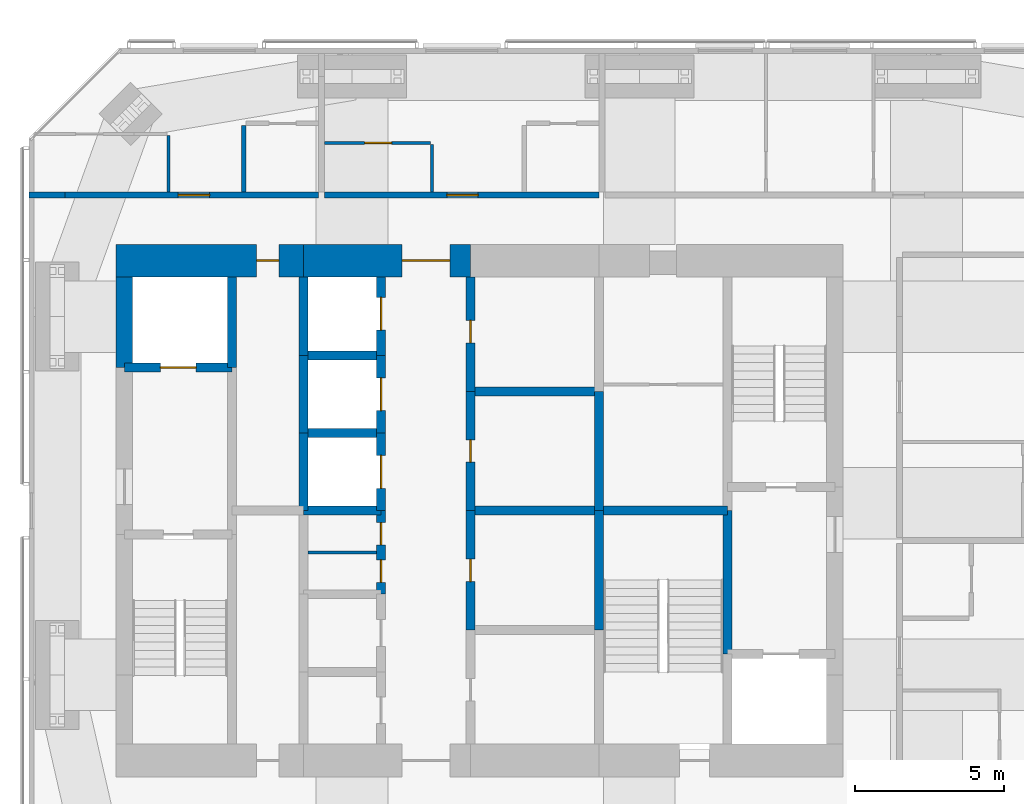
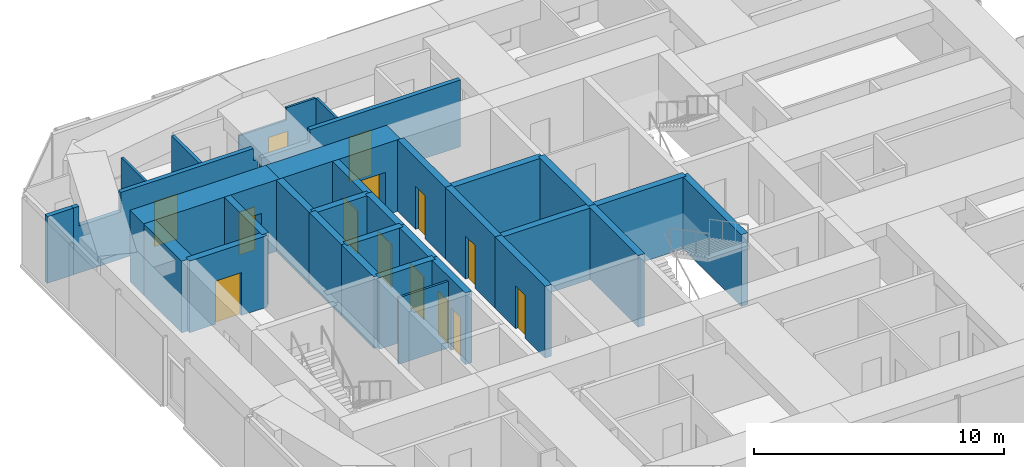
# One storey, part 14 of 18: 32 walls, 14 doors, 14 openings.
"""IFC4 building model written with IfcOpenShell, lengths in metres."""

from ifc_helpers import new_model, si_unit, direction, frame, frame_2d, origin, place, context, subcontext, project, spatial, polyline, rectangle, outline, extrude, material, layer, layer_set, constituent, constituent_set, type_object, element, fill, save


model = new_model("IFC4")

# Units and contexts
model_context = context("Model", 3, precision=1e-05, world=origin(), true_north=direction((0.0, 1.0)))
body_context = subcontext(model_context, "Body", "Model", "MODEL_VIEW")
ifc_project = project(units=[si_unit("LENGTHUNIT", "METRE"), si_unit("AREAUNIT", "SQUARE_METRE"), si_unit("VOLUMEUNIT", "CUBIC_METRE"), si_unit("PLANEANGLEUNIT", "RADIAN"), si_unit("MASSUNIT", "GRAM", prefix="KILO")], contexts=[model_context])

# Site, building, storey
site_placement = place(None, origin())
site = spatial("IfcSite", under=ifc_project, at=site_placement, CompositionType="ELEMENT")
building_placement = place(site_placement, origin())
building = spatial("IfcBuilding", under=site, at=building_placement, Name="Jalousie Tower", CompositionType="ELEMENT")
storey_placement = place(building_placement, frame((0.0, 0.0, 231.949951171875)))
storey = spatial("IfcBuildingStorey", under=building, at=storey_placement, Name="L63", CompositionType="ELEMENT", Elevation=231.949951171875)

# Wall
ifc_material_1 = material(Name="Concrete block ASTM C90", Category="concrete")
ifc_constituent_1 = constituent(ifc_material_1, Name="Body")
ifc_material_2 = material(Name="Render")
ifc_constituent_2 = constituent(ifc_material_2, Name="Finish")
ifc_constituent_set_1 = constituent_set(constituents=[ifc_constituent_1, ifc_constituent_2])
wall_type_1 = type_object("IfcWallType", Name="BATHROOM WALL 150", PredefinedType="PLUMBINGWALL", material=ifc_constituent_set_1)
wall_1_placement = place(storey_placement, frame((24.0, 31.39990234375, 0.0), z_axis=(0.0, 0.0, 1.0), x_axis=(0.0, -1.0, 0.0)))
element("IfcWall", 1, at=wall_1_placement, inside=storey, type_object=wall_type_1, Name="Bathroom Wall 150 L63", PredefinedType="PLUMBINGWALL", context=body_context, shape_type="SweptSolid", body=[
    extrude(rectangle(XDim=2.224853515625, YDim=0.14990234375, at=frame_2d((1.1123046875, 0.0))), origin(), (0.0, 0.0, 1.0), 3.260009765625),
])

# Wall, opening, door
ifc_material_3 = material(Name="Concrete f'c 120 MPa", Category="concrete")
ifc_layer_1 = layer(ifc_material_3, 1.10009765625)
ifc_layer_set_1 = layer_set([ifc_layer_1], Name="Concrete f'c 120 MPa")
wall_type_2 = type_object("IfcWallType", Name="CORE WALL 1100", PredefinedType="SHEAR", material=ifc_layer_set_1)
wall_2_placement = place(storey_placement, frame((31.60009765625, 26.875, 0.0), z_axis=(0.0, 0.0, 1.0), x_axis=(-1.0, 0.0, 0.0)))
wall_2 = element("IfcWall", 2, at=wall_2_placement, inside=storey, type_object=wall_type_2, Name="Core wall NC L63", PredefinedType="SHEAR", context=body_context, shape_type="SweptSolid", body=[
    extrude(rectangle(XDim=5.60009765625, YDim=1.10009765625, at=frame_2d((2.800048828125, 0.0))), origin(), (0.0, 0.0, 1.0), 3.5),
])
opening_1_placement = place(wall_2_placement, frame((0.699951171875, 0.0, 0.0)))
opening_1 = element("IfcOpeningElement", 3, at=opening_1_placement, cuts=wall_2, Name="Opening D15", PredefinedType="OPENING", context=body_context, shape_type="SweptSolid", body=[
    extrude(rectangle(XDim=1.60009765625, YDim=2.10009765625, at=frame_2d((0.800048828125, 1.050048828125))), frame((0.0, 0.56005859375, 0.0), z_axis=(0.0, -1.0, 0.0), x_axis=(1.0, 0.0, 0.0)), (0.0, 0.0, 1.0), 1.1201171875),
])
ifc_material_4 = material(Name="Steel fire door", Category="steel")
door_type_1 = type_object("IfcDoorType", Name="LIFT LOBBY DOOR 1600", OperationType="DOUBLE_DOOR_SINGLE_SWING", PredefinedType="DOOR", material=ifc_material_4)
door_1_placement = place(opening_1_placement, origin())
door_1 = element("IfcDoor", 4, at=door_1_placement, inside=storey, type_object=door_type_1, Name="Lift lobby north door", OperationType="DOUBLE_DOOR_SINGLE_SWING", OverallHeight=2.10009765625, OverallWidth=1.60009765625, PredefinedType="DOOR", context=body_context, shape_type="SweptSolid", body=[
    extrude(rectangle(XDim=1.60009765625, YDim=2.10009765625, at=frame_2d((0.800048828125, 1.050048828125))), frame((0.0, 0.02490234375, 0.0), z_axis=(0.0, -1.0, 0.0), x_axis=(1.0, 0.0, 0.0)), (0.0, 0.0, 1.0), 0.050048828125),
])
fill(opening_1, door_1)

wall_3_placement = place(storey_placement, frame((26.0, 26.875, 0.0), z_axis=(0.0, 0.0, 1.0), x_axis=(-1.0, 0.0, 0.0)))
wall_3 = element("IfcWall", 5, at=wall_3_placement, inside=storey, type_object=wall_type_2, Name="Core wall ND L63", PredefinedType="SHEAR", context=body_context, shape_type="SweptSolid", body=[
    extrude(rectangle(XDim=6.27490234375, YDim=1.10009765625, at=frame_2d((3.137451171875, 0.0))), origin(), (0.0, 0.0, 1.0), 3.5),
])
opening_2_placement = place(wall_3_placement, frame((0.824951171875, 0.0, 0.0)))
opening_2 = element("IfcOpeningElement", 6, at=opening_2_placement, cuts=wall_3, Name="Opening D16", PredefinedType="OPENING", context=body_context, shape_type="SweptSolid", body=[
    extrude(rectangle(XDim=0.75, YDim=2.10009765625, at=frame_2d((0.375, 1.050048828125))), frame((0.0, 0.56005859375, 0.0), z_axis=(0.0, -1.0, 0.0), x_axis=(1.0, 0.0, 0.0)), (0.0, 0.0, 1.0), 1.1201171875),
])
ifc_material_5 = material(Name="Steel fire door", Category="steel")
door_type_2 = type_object("IfcDoorType", Name="RISER DOOR 750", OperationType="SINGLE_SWING_LEFT", PredefinedType="DOOR", material=ifc_material_5)
door_2_placement = place(opening_2_placement, origin())
door_2 = element("IfcDoor", 7, at=door_2_placement, inside=storey, type_object=door_type_2, Name="North riser door", OperationType="SINGLE_SWING_RIGHT", OverallHeight=2.10009765625, OverallWidth=0.75, PredefinedType="DOOR", context=body_context, shape_type="SweptSolid", body=[
    extrude(rectangle(XDim=0.75, YDim=2.10009765625, at=frame_2d((0.375, 1.050048828125))), frame((0.0, 0.02490234375, 0.0), z_axis=(0.0, -1.0, 0.0), x_axis=(1.0, 0.0, 0.0)), (0.0, 0.0, 1.0), 0.050048828125),
])
fill(opening_2, door_2)

# Walls
ifc_material_6 = material(Name="Concrete f'c 120 MPa", Category="concrete")
ifc_layer_2 = layer(ifc_material_6, 0.300048828125)
ifc_layer_set_2 = layer_set([ifc_layer_2], Name="Concrete f'c 120 MPa")
wall_type_3 = type_object("IfcWallType", Name="CORE WALL 300", PredefinedType="SHEAR", material=ifc_layer_set_2)
wall_4_placement = place(storey_placement, frame((23.60009765625, 23.300048828125, 0.0), z_axis=(0.0, 0.0, 1.0), x_axis=(0.0, 1.0, 0.0)))
element("IfcWall", 8, at=wall_4_placement, inside=storey, type_object=wall_type_3, Name="Core wall X23.6C L63", PredefinedType="SHEAR", context=body_context, shape_type="SweptSolid", body=[
    extrude(rectangle(XDim=3.02490234375, YDim=0.300048828125, at=frame_2d((1.512451171875, 0.0))), origin(), (0.0, 0.0, 1.0), 3.5),
])
wall_5_placement = place(storey_placement, frame((26.0, 18.5, 0.0), z_axis=(0.0, 0.0, 1.0), x_axis=(0.0, 1.0, 0.0)))
element("IfcWall", 9, at=wall_5_placement, inside=storey, type_object=wall_type_3, Name="Core wall X26D L63", PredefinedType="SHEAR", context=body_context, shape_type="SweptSolid", body=[
    extrude(rectangle(XDim=2.60009765625, YDim=0.300048828125, at=frame_2d((1.300048828125, 0.0))), origin(), (0.0, 0.0, 1.0), 3.5),
])
wall_6_placement = place(storey_placement, frame((26.0, 21.10009765625, 0.0), z_axis=(0.0, 0.0, 1.0), x_axis=(0.0, 1.0, 0.0)))
element("IfcWall", 10, at=wall_6_placement, inside=storey, type_object=wall_type_3, Name="Core wall X26E L63", PredefinedType="SHEAR", context=body_context, shape_type="SweptSolid", body=[
    extrude(rectangle(XDim=2.599853515625, YDim=0.300048828125, at=frame_2d((1.2998046875, 0.0))), origin(), (0.0, 0.0, 1.0), 3.5),
])
wall_7_placement = place(storey_placement, frame((26.0, 23.699951171875, 0.0), z_axis=(0.0, 0.0, 1.0), x_axis=(0.0, 1.0, 0.0)))
element("IfcWall", 11, at=wall_7_placement, inside=storey, type_object=wall_type_3, Name="Core wall X26F L63", PredefinedType="SHEAR", context=body_context, shape_type="SweptSolid", body=[
    extrude(rectangle(XDim=2.625, YDim=0.300048828125, at=frame_2d((1.3125, 0.0))), origin(), (0.0, 0.0, 1.0), 3.5),
])

# Wall, openings, doors
wall_8_placement = place(storey_placement, frame((28.60009765625, 15.699951171875, 0.0), z_axis=(0.0, 0.0, 1.0), x_axis=(0.0, 1.0, 0.0)))
wall_8 = element("IfcWall", 12, at=wall_8_placement, inside=storey, type_object=wall_type_3, Name="Core wall X28.6C L63", PredefinedType="SHEAR", context=body_context, shape_type="SweptSolid", body=[
    extrude(rectangle(XDim=2.800048828125, YDim=0.300048828125, at=frame_2d((1.39990234375, 0.0))), origin(), (0.0, 0.0, 1.0), 3.5),
])
opening_3_placement = place(wall_8_placement, frame((0.39990234375, 0.0, 0.0)))
opening_3 = element("IfcOpeningElement", 13, at=opening_3_placement, cuts=wall_8, Name="Opening D27", PredefinedType="OPENING", context=body_context, shape_type="SweptSolid", body=[
    extrude(rectangle(XDim=0.75, YDim=2.10009765625, at=frame_2d((0.375, 1.050048828125))), frame((0.0, 0.159912109375, 0.0), z_axis=(0.0, -1.0, 0.0), x_axis=(1.0, 0.0, 0.0)), (0.0, 0.0, 1.0), 0.320068359375),
])
opening_4_placement = place(wall_8_placement, frame((1.64990234375, 0.0, 0.0)))
opening_4 = element("IfcOpeningElement", 14, at=opening_4_placement, cuts=wall_8, Name="Opening D27", PredefinedType="OPENING", context=body_context, shape_type="SweptSolid", body=[
    extrude(rectangle(XDim=0.75, YDim=2.10009765625, at=frame_2d((0.375, 1.050048828125))), frame((0.0, 0.159912109375, 0.0), z_axis=(0.0, -1.0, 0.0), x_axis=(1.0, 0.0, 0.0)), (0.0, 0.0, 1.0), 0.320068359375),
])
ifc_material_7 = material(Name="Steel fire door", Category="steel")
door_type_3 = type_object("IfcDoorType", Name="CORE ROOM DOOR 750", OperationType="SINGLE_SWING_LEFT", PredefinedType="DOOR", material=ifc_material_7)
door_3_placement = place(opening_3_placement, origin())
door_3 = element("IfcDoor", 15, at=door_3_placement, inside=storey, type_object=door_type_3, Name="Staff WC door", OperationType="SINGLE_SWING_RIGHT", OverallHeight=2.10009765625, OverallWidth=0.75, PredefinedType="DOOR", context=body_context, shape_type="SweptSolid", body=[
    extrude(rectangle(XDim=0.75, YDim=2.10009765625, at=frame_2d((0.375, 1.050048828125))), frame((0.0, 0.02490234375, 0.0), z_axis=(0.0, -1.0, 0.0), x_axis=(1.0, 0.0, 0.0)), (0.0, 0.0, 1.0), 0.050048828125),
])
fill(opening_3, door_3)
door_4_placement = place(opening_4_placement, origin())
door_4 = element("IfcDoor", 16, at=door_4_placement, inside=storey, type_object=door_type_3, Name="Cleaner's store door", OperationType="SINGLE_SWING_LEFT", OverallHeight=2.10009765625, OverallWidth=0.75, PredefinedType="DOOR", context=body_context, shape_type="SweptSolid", body=[
    extrude(rectangle(XDim=0.75, YDim=2.10009765625, at=frame_2d((0.375, 1.050048828125))), frame((0.0, 0.02490234375, 0.0), z_axis=(0.0, -1.0, 0.0), x_axis=(1.0, 0.0, 0.0)), (0.0, 0.0, 1.0), 0.050048828125),
])
fill(opening_4, door_4)

# Wall, opening, door
wall_9_placement = place(storey_placement, frame((28.60009765625, 18.5, 0.0), z_axis=(0.0, 0.0, 1.0), x_axis=(0.0, 1.0, 0.0)))
wall_9 = element("IfcWall", 17, at=wall_9_placement, inside=storey, type_object=wall_type_3, Name="Core wall X28.6D L63", PredefinedType="SHEAR", context=body_context, shape_type="SweptSolid", body=[
    extrude(rectangle(XDim=2.60009765625, YDim=0.300048828125, at=frame_2d((1.300048828125, 0.0))), origin(), (0.0, 0.0, 1.0), 3.5),
])
opening_5_placement = place(wall_9_placement, frame((0.75, 0.0, 0.0)))
opening_5 = element("IfcOpeningElement", 18, at=opening_5_placement, cuts=wall_9, Name="Opening LD1", PredefinedType="OPENING", context=body_context, shape_type="SweptSolid", body=[
    extrude(rectangle(XDim=1.10009765625, YDim=2.10009765625, at=frame_2d((0.550048828125, 1.050048828125))), frame((0.0, 0.159912109375, 0.0), z_axis=(0.0, -1.0, 0.0), x_axis=(1.0, 0.0, 0.0)), (0.0, 0.0, 1.0), 0.320068359375),
])
ifc_material_8 = material(Name="Steel lift landing door", Category="steel")
door_type_4 = type_object("IfcDoorType", Name="LIFT LANDING DOOR 1100", OperationType="SLIDING_TO_LEFT", PredefinedType="DOOR", material=ifc_material_8)
door_5_placement = place(opening_5_placement, origin())
door_5 = element("IfcDoor", 19, at=door_5_placement, inside=storey, type_object=door_type_4, Name="Lift P4 landing door", OperationType="SLIDING_TO_LEFT", OverallHeight=2.10009765625, OverallWidth=1.10009765625, PredefinedType="DOOR", context=body_context, shape_type="SweptSolid", body=[
    extrude(rectangle(XDim=1.10009765625, YDim=2.10009765625, at=frame_2d((0.550048828125, 1.050048828125))), frame((0.0, 0.02490234375, 0.0), z_axis=(0.0, -1.0, 0.0), x_axis=(1.0, 0.0, 0.0)), (0.0, 0.0, 1.0), 0.050048828125),
])
fill(opening_5, door_5)

wall_10_placement = place(storey_placement, frame((28.60009765625, 21.10009765625, 0.0), z_axis=(0.0, 0.0, 1.0), x_axis=(0.0, 1.0, 0.0)))
wall_10 = element("IfcWall", 20, at=wall_10_placement, inside=storey, type_object=wall_type_3, Name="Core wall X28.6E L63", PredefinedType="SHEAR", context=body_context, shape_type="SweptSolid", body=[
    extrude(rectangle(XDim=2.599853515625, YDim=0.300048828125, at=frame_2d((1.2998046875, 0.0))), origin(), (0.0, 0.0, 1.0), 3.5),
])
opening_6_placement = place(wall_10_placement, frame((0.75, 0.0, 0.0)))
opening_6 = element("IfcOpeningElement", 21, at=opening_6_placement, cuts=wall_10, Name="Opening LD1", PredefinedType="OPENING", context=body_context, shape_type="SweptSolid", body=[
    extrude(rectangle(XDim=1.10009765625, YDim=2.10009765625, at=frame_2d((0.550048828125, 1.050048828125))), frame((0.0, 0.159912109375, 0.0), z_axis=(0.0, -1.0, 0.0), x_axis=(1.0, 0.0, 0.0)), (0.0, 0.0, 1.0), 0.320068359375),
])
door_6_placement = place(opening_6_placement, origin())
door_6 = element("IfcDoor", 22, at=door_6_placement, inside=storey, type_object=door_type_4, Name="Lift P5 landing door", OperationType="SLIDING_TO_LEFT", OverallHeight=2.10009765625, OverallWidth=1.10009765625, PredefinedType="DOOR", context=body_context, shape_type="SweptSolid", body=[
    extrude(rectangle(XDim=1.10009765625, YDim=2.10009765625, at=frame_2d((0.550048828125, 1.050048828125))), frame((0.0, 0.02490234375, 0.0), z_axis=(0.0, -1.0, 0.0), x_axis=(1.0, 0.0, 0.0)), (0.0, 0.0, 1.0), 0.050048828125),
])
fill(opening_6, door_6)

wall_11_placement = place(storey_placement, frame((28.60009765625, 23.699951171875, 0.0), z_axis=(0.0, 0.0, 1.0), x_axis=(0.0, 1.0, 0.0)))
wall_11 = element("IfcWall", 23, at=wall_11_placement, inside=storey, type_object=wall_type_3, Name="Core wall X28.6F L63", PredefinedType="SHEAR", context=body_context, shape_type="SweptSolid", body=[
    extrude(rectangle(XDim=2.625, YDim=0.300048828125, at=frame_2d((1.3125, 0.0))), origin(), (0.0, 0.0, 1.0), 3.5),
])
opening_7_placement = place(wall_11_placement, frame((0.85009765625, 0.0, 0.0)))
opening_7 = element("IfcOpeningElement", 24, at=opening_7_placement, cuts=wall_11, Name="Opening LD1", PredefinedType="OPENING", context=body_context, shape_type="SweptSolid", body=[
    extrude(rectangle(XDim=1.10009765625, YDim=2.10009765625, at=frame_2d((0.550048828125, 1.050048828125))), frame((0.0, 0.159912109375, 0.0), z_axis=(0.0, -1.0, 0.0), x_axis=(1.0, 0.0, 0.0)), (0.0, 0.0, 1.0), 0.320068359375),
])
door_7_placement = place(opening_7_placement, origin())
door_7 = element("IfcDoor", 25, at=door_7_placement, inside=storey, type_object=door_type_4, Name="Lift P6 landing door", OperationType="SLIDING_TO_LEFT", OverallHeight=2.10009765625, OverallWidth=1.10009765625, PredefinedType="DOOR", context=body_context, shape_type="SweptSolid", body=[
    extrude(rectangle(XDim=1.10009765625, YDim=2.10009765625, at=frame_2d((0.550048828125, 1.050048828125))), frame((0.0, 0.02490234375, 0.0), z_axis=(0.0, -1.0, 0.0), x_axis=(1.0, 0.0, 0.0)), (0.0, 0.0, 1.0), 0.050048828125),
])
fill(opening_7, door_7)

wall_12_placement = place(storey_placement, frame((31.60009765625, 14.5, 0.0), z_axis=(0.0, 0.0, 1.0), x_axis=(0.0, 1.0, 0.0)))
wall_12 = element("IfcWall", 26, at=wall_12_placement, inside=storey, type_object=wall_type_3, Name="Core wall X31.6B L63", PredefinedType="SHEAR", context=body_context, shape_type="SweptSolid", body=[
    extrude(rectangle(XDim=4.0, YDim=0.300048828125, at=frame_2d((2.0, 0.0))), origin(), (0.0, 0.0, 1.0), 3.5),
])
opening_8_placement = place(wall_12_placement, frame((1.625, 0.0, 0.0)))
opening_8 = element("IfcOpeningElement", 27, at=opening_8_placement, cuts=wall_12, Name="Opening D16", PredefinedType="OPENING", context=body_context, shape_type="SweptSolid", body=[
    extrude(rectangle(XDim=0.75, YDim=2.10009765625, at=frame_2d((0.375, 1.050048828125))), frame((0.0, 0.159912109375, 0.0), z_axis=(0.0, -1.0, 0.0), x_axis=(1.0, 0.0, 0.0)), (0.0, 0.0, 1.0), 0.320068359375),
])
door_8_placement = place(opening_8_placement, frame((0.75, 0.0, 0.0), z_axis=(0.0, 0.0, 1.0), x_axis=(-1.0, 0.0, 0.0)))
door_8 = element("IfcDoor", 28, at=door_8_placement, inside=storey, type_object=door_type_2, Name="Electrical Room door", OperationType="SINGLE_SWING_RIGHT", OverallHeight=2.10009765625, OverallWidth=0.75, PredefinedType="DOOR", context=body_context, shape_type="SweptSolid", body=[
    extrude(rectangle(XDim=0.75, YDim=2.10009765625, at=frame_2d((0.375, 1.050048828125))), frame((0.0, 0.02490234375, 0.0), z_axis=(0.0, -1.0, 0.0), x_axis=(1.0, 0.0, 0.0)), (0.0, 0.0, 1.0), 0.050048828125),
])
fill(opening_8, door_8)

wall_13_placement = place(storey_placement, frame((31.60009765625, 18.5, 0.0), z_axis=(0.0, 0.0, 1.0), x_axis=(0.0, 1.0, 0.0)))
wall_13 = element("IfcWall", 29, at=wall_13_placement, inside=storey, type_object=wall_type_3, Name="Core wall X31.6C L63", PredefinedType="SHEAR", context=body_context, shape_type="SweptSolid", body=[
    extrude(rectangle(XDim=4.0, YDim=0.300048828125, at=frame_2d((2.0, 0.0))), origin(), (0.0, 0.0, 1.0), 3.5),
])
opening_9_placement = place(wall_13_placement, frame((1.625, 0.0, 0.0)))
opening_9 = element("IfcOpeningElement", 30, at=opening_9_placement, cuts=wall_13, Name="Opening D16", PredefinedType="OPENING", context=body_context, shape_type="SweptSolid", body=[
    extrude(rectangle(XDim=0.75, YDim=2.10009765625, at=frame_2d((0.375, 1.050048828125))), frame((0.0, 0.159912109375, 0.0), z_axis=(0.0, -1.0, 0.0), x_axis=(1.0, 0.0, 0.0)), (0.0, 0.0, 1.0), 0.320068359375),
])
door_9_placement = place(opening_9_placement, frame((0.75, 0.0, 0.0), z_axis=(0.0, 0.0, 1.0), x_axis=(-1.0, 0.0, 0.0)))
door_9 = element("IfcDoor", 31, at=door_9_placement, inside=storey, type_object=door_type_2, Name="Telecom Room door", OperationType="SINGLE_SWING_RIGHT", OverallHeight=2.10009765625, OverallWidth=0.75, PredefinedType="DOOR", context=body_context, shape_type="SweptSolid", body=[
    extrude(rectangle(XDim=0.75, YDim=2.10009765625, at=frame_2d((0.375, 1.050048828125))), frame((0.0, 0.02490234375, 0.0), z_axis=(0.0, -1.0, 0.0), x_axis=(1.0, 0.0, 0.0)), (0.0, 0.0, 1.0), 0.050048828125),
])
fill(opening_9, door_9)

wall_14_placement = place(storey_placement, frame((31.60009765625, 22.5, 0.0), z_axis=(0.0, 0.0, 1.0), x_axis=(0.0, 1.0, 0.0)))
wall_14 = element("IfcWall", 32, at=wall_14_placement, inside=storey, type_object=wall_type_3, Name="Core wall X31.6D L63", PredefinedType="SHEAR", context=body_context, shape_type="SweptSolid", body=[
    extrude(rectangle(XDim=3.824951171875, YDim=0.300048828125, at=frame_2d((1.91259765625, 0.0))), origin(), (0.0, 0.0, 1.0), 3.5),
])
opening_10_placement = place(wall_14_placement, frame((1.625, 0.0, 0.0)))
opening_10 = element("IfcOpeningElement", 33, at=opening_10_placement, cuts=wall_14, Name="Opening D16", PredefinedType="OPENING", context=body_context, shape_type="SweptSolid", body=[
    extrude(rectangle(XDim=0.75, YDim=2.10009765625, at=frame_2d((0.375, 1.050048828125))), frame((0.0, 0.159912109375, 0.0), z_axis=(0.0, -1.0, 0.0), x_axis=(1.0, 0.0, 0.0)), (0.0, 0.0, 1.0), 0.320068359375),
])
door_10_placement = place(opening_10_placement, frame((0.75, 0.0, 0.0), z_axis=(0.0, 0.0, 1.0), x_axis=(-1.0, 0.0, 0.0)))
door_10 = element("IfcDoor", 34, at=door_10_placement, inside=storey, type_object=door_type_2, Name="Water Services Room door", OperationType="SINGLE_SWING_LEFT", OverallHeight=2.10009765625, OverallWidth=0.75, PredefinedType="DOOR", context=body_context, shape_type="SweptSolid", body=[
    extrude(rectangle(XDim=0.75, YDim=2.10009765625, at=frame_2d((0.375, 1.050048828125))), frame((0.0, 0.02490234375, 0.0), z_axis=(0.0, -1.0, 0.0), x_axis=(1.0, 0.0, 0.0)), (0.0, 0.0, 1.0), 0.050048828125),
])
fill(opening_10, door_10)

# Walls
for number, where, z_axis, x_axis, name in (
    (35, (35.89990234375, 14.5, 0.0), (0.0, 0.0, 1.0), (0.0, 1.0, 0.0), "Core wall X35.9B L63"),
    (36, (35.89990234375, 18.5, 0.0), (0.0, 0.0, 1.0), (0.0, 1.0, 0.0), "Core wall X35.9C L63"),
):
    element("IfcWall", number, at=place(storey_placement, frame(where, z_axis=z_axis, x_axis=x_axis)), inside=storey, type_object=wall_type_3, Name=name, PredefinedType="SHEAR", context=body_context, shape_type="SweptSolid", body=[
        extrude(rectangle(XDim=4.0, YDim=0.300048828125, at=frame_2d((2.0, 0.0))), origin(), (0.0, 0.0, 1.0), 3.5),
    ])
wall_15_placement = place(storey_placement, frame((40.199951171875, 13.699951171875, 0.0), z_axis=(0.0, 0.0, 1.0), x_axis=(0.0, 1.0, 0.0)))
element("IfcWall", 37, at=wall_15_placement, inside=storey, type_object=wall_type_3, Name="Core wall X40.2B L63", PredefinedType="SHEAR", context=body_context, shape_type="SweptSolid", body=[
    extrude(rectangle(XDim=4.800048828125, YDim=0.300048828125, at=frame_2d((2.39990234375, 0.0))), origin(), (0.0, 0.0, 1.0), 3.5),
])

# Wall, opening, door
wall_16_placement = place(storey_placement, frame((20.0, 23.300048828125, 0.0), z_axis=(0.0, 0.0, 1.0), x_axis=(1.0, 0.0, 0.0)))
wall_16 = element("IfcWall", 38, at=wall_16_placement, inside=storey, type_object=wall_type_3, Name="Core wall Y20-23.3 L63", PredefinedType="SHEAR", context=body_context, shape_type="SweptSolid", body=[
    extrude(rectangle(XDim=3.60009765625, YDim=0.300048828125, at=frame_2d((1.800048828125, 0.0))), origin(), (0.0, 0.0, 1.0), 3.5),
])
opening_11_placement = place(wall_16_placement, frame((1.199951171875, 0.0, 0.0)))
opening_11 = element("IfcOpeningElement", 39, at=opening_11_placement, cuts=wall_16, Name="Opening LD2", PredefinedType="OPENING", context=body_context, shape_type="SweptSolid", body=[
    extrude(rectangle(XDim=1.199951171875, YDim=2.10009765625, at=frame_2d((0.60009765625, 1.050048828125))), frame((0.0, 0.159912109375, 0.0), z_axis=(0.0, -1.0, 0.0), x_axis=(1.0, 0.0, 0.0)), (0.0, 0.0, 1.0), 0.320068359375),
])
ifc_material_9 = material(Name="Steel lift landing door", Category="steel")
door_type_5 = type_object("IfcDoorType", Name="LIFT LANDING DOOR 1200", OperationType="SLIDING_TO_LEFT", PredefinedType="DOOR", material=ifc_material_9)
door_11_placement = place(opening_11_placement, origin())
door_11 = element("IfcDoor", 40, at=door_11_placement, inside=storey, type_object=door_type_5, Name="Lift F1 landing door", OperationType="SLIDING_TO_LEFT", OverallHeight=2.10009765625, OverallWidth=1.199951171875, PredefinedType="DOOR", context=body_context, shape_type="SweptSolid", body=[
    extrude(rectangle(XDim=1.199951171875, YDim=2.10009765625, at=frame_2d((0.60009765625, 1.050048828125))), frame((0.0, 0.02490234375, 0.0), z_axis=(0.0, -1.0, 0.0), x_axis=(1.0, 0.0, 0.0)), (0.0, 0.0, 1.0), 0.050048828125),
])
fill(opening_11, door_11)

# Walls
for number, where, z_axis, x_axis, name in (
    (41, (26.0, 18.5, 0.0), (0.0, 0.0, 1.0), (1.0, 0.0, 0.0), "Core wall Y26-18.5 L63"),
    (42, (26.0, 21.10009765625, 0.0), (0.0, 0.0, 1.0), (1.0, 0.0, 0.0), "Core wall Y26-21.1 L63"),
    (43, (26.0, 23.699951171875, 0.0), (0.0, 0.0, 1.0), (1.0, 0.0, 0.0), "Core wall Y26-23.7 L63"),
):
    element("IfcWall", number, at=place(storey_placement, frame(where, z_axis=z_axis, x_axis=x_axis)), inside=storey, type_object=wall_type_3, Name=name, PredefinedType="SHEAR", context=body_context, shape_type="SweptSolid", body=[
        extrude(rectangle(XDim=2.60009765625, YDim=0.300048828125, at=frame_2d((1.300048828125, 0.0))), origin(), (0.0, 0.0, 1.0), 3.5),
    ])
for number, where, z_axis, x_axis, name in (
    (44, (31.60009765625, 18.5, 0.0), (0.0, 0.0, 1.0), (1.0, 0.0, 0.0), "Core wall Y31.6-18.5 L63"),
    (45, (31.60009765625, 22.5, 0.0), (0.0, 0.0, 1.0), (1.0, 0.0, 0.0), "Core wall Y31.6-22.5 L63"),
):
    element("IfcWall", number, at=place(storey_placement, frame(where, z_axis=z_axis, x_axis=x_axis)), inside=storey, type_object=wall_type_3, Name=name, PredefinedType="SHEAR", context=body_context, shape_type="SweptSolid", body=[
        extrude(rectangle(XDim=4.2998046875, YDim=0.300048828125, at=frame_2d((2.14990234375, 0.0))), origin(), (0.0, 0.0, 1.0), 3.5),
    ])
wall_17_placement = place(storey_placement, frame((35.89990234375, 18.5, 0.0), z_axis=(0.0, 0.0, 1.0), x_axis=(1.0, 0.0, 0.0)))
element("IfcWall", 46, at=wall_17_placement, inside=storey, type_object=wall_type_3, Name="Core wall Y35.9-18.5 L63", PredefinedType="SHEAR", context=body_context, shape_type="SweptSolid", body=[
    extrude(rectangle(XDim=4.300048828125, YDim=0.300048828125, at=frame_2d((2.14990234375, 0.0))), origin(), (0.0, 0.0, 1.0), 3.5),
])
ifc_material_10 = material(Name="Concrete f'c 120 MPa", Category="concrete")
ifc_layer_3 = layer(ifc_material_10, 0.550048828125)
ifc_layer_set_3 = layer_set([ifc_layer_3], Name="Concrete f'c 120 MPa")
wall_type_4 = type_object("IfcWallType", Name="CORE WALL 550", PredefinedType="SHEAR", material=ifc_layer_set_3)
wall_18_placement = place(storey_placement, frame((20.0, 26.324951171875, 0.0), z_axis=(0.0, 0.0, 1.0), x_axis=(0.0, -1.0, 0.0)))
element("IfcWall", 47, at=wall_18_placement, inside=storey, type_object=wall_type_4, Name="Core wall WA L63", PredefinedType="SHEAR", context=body_context, shape_type="SweptSolid", body=[
    extrude(rectangle(XDim=3.02490234375, YDim=0.550048828125, at=frame_2d((1.512451171875, 0.0))), origin(), (0.0, 0.0, 1.0), 3.5),
])

# Wall, opening, door
ifc_material_11 = material(Name="Concrete block ASTM C90", Category="concrete")
ifc_constituent_3 = constituent(ifc_material_11, Name="Body")
ifc_material_12 = material(Name="Render")
ifc_constituent_4 = constituent(ifc_material_12, Name="Finish")
ifc_constituent_set_2 = constituent_set(constituents=[ifc_constituent_3, ifc_constituent_4])
wall_type_5 = type_object("IfcWallType", Name="CORRIDOR WALL 200", PredefinedType="PARTITIONING", material=ifc_constituent_set_2)
wall_19_placement = place(storey_placement, frame((18.0, 29.074951171875, 0.0), z_axis=(0.0, 0.0, 1.0), x_axis=(1.0, 0.0, 0.0)))
wall_19 = element("IfcWall", 48, at=wall_19_placement, inside=storey, type_object=wall_type_5, Name="Corridor Wall 200 L63", PredefinedType="PARTITIONING", context=body_context, shape_type="SweptSolid", body=[
    extrude(outline(polyline([(0.0, 0.0), (8.5, 0.0), (8.5, 3.260009765625), (8.5, 2.66015625), (8.31494140625, 2.66015625), (8.31494140625, 3.260009765625), (2.191650390625, 3.260009765625), (2.191650390625, 2.300048828125), (0.25634765625, 2.300048828125), (0.25634765625, 3.260009765625), (0.0, 3.260009765625), (0.0, 0.0)])), frame((0.0, 0.10009765625, 0.0), z_axis=(0.0, -1.0, 0.0), x_axis=(1.0, 0.0, 0.0)), (0.0, 0.0, 1.0), 0.199951171875),
])
opening_12_placement = place(wall_19_placement, frame((3.800048828125, 0.0, 0.0)))
opening_12 = element("IfcOpeningElement", 49, at=opening_12_placement, cuts=wall_19, Name="Opening D1", PredefinedType="OPENING", context=body_context, shape_type="SweptSolid", body=[
    extrude(rectangle(XDim=1.050048828125, YDim=2.199951171875, at=frame_2d((0.52490234375, 1.10009765625))), frame((0.0, 0.10986328125, 0.0), z_axis=(0.0, -1.0, 0.0), x_axis=(1.0, 0.0, 0.0)), (0.0, 0.0, 1.0), 0.219970703125),
])
ifc_material_13 = material(Name="Timber fire door", Category="wood")
door_type_6 = type_object("IfcDoorType", Name="APARTMENT ENTRANCE DOOR 1050", OperationType="SINGLE_SWING_LEFT", PredefinedType="DOOR", material=ifc_material_13)
door_12_placement = place(opening_12_placement, origin())
door_12 = element("IfcDoor", 50, at=door_12_placement, inside=storey, type_object=door_type_6, Name="Apartment 6304 entrance", OperationType="SINGLE_SWING_LEFT", OverallHeight=2.199951171875, OverallWidth=1.050048828125, PredefinedType="DOOR", context=body_context, shape_type="SweptSolid", body=[
    extrude(rectangle(XDim=1.050048828125, YDim=2.199951171875, at=frame_2d((0.52490234375, 1.10009765625))), frame((0.0, 0.02490234375, 0.0), z_axis=(0.0, -1.0, 0.0), x_axis=(1.0, 0.0, 0.0)), (0.0, 0.0, 1.0), 0.050048828125),
])
fill(opening_12, door_12)

wall_20_placement = place(storey_placement, frame((26.699951171875, 29.074951171875, 0.0), z_axis=(0.0, 0.0, 1.0), x_axis=(1.0, 0.0, 0.0)))
wall_20 = element("IfcWall", 51, at=wall_20_placement, inside=storey, type_object=wall_type_5, Name="Corridor Wall 200 L63", PredefinedType="PARTITIONING", context=body_context, shape_type="SweptSolid", body=[
    extrude(outline(polyline([(0.0, 0.0), (9.199951171875, 0.0), (9.199951171875, 3.260009765625), (2.235107421875, 3.260009765625), (2.235107421875, 2.66015625), (0.0, 2.66015625), (0.0, 3.260009765625), (0.0, 0.0)])), frame((0.0, 0.10009765625, 0.0), z_axis=(0.0, -1.0, 0.0), x_axis=(1.0, 0.0, 0.0)), (0.0, 0.0, 1.0), 0.199951171875),
])
opening_13_placement = place(wall_20_placement, frame((4.10009765625, 0.0, 0.0)))
opening_13 = element("IfcOpeningElement", 52, at=opening_13_placement, cuts=wall_20, Name="Opening D1", PredefinedType="OPENING", context=body_context, shape_type="SweptSolid", body=[
    extrude(rectangle(XDim=1.050048828125, YDim=2.199951171875, at=frame_2d((0.52490234375, 1.10009765625))), frame((0.0, 0.10986328125, 0.0), z_axis=(0.0, -1.0, 0.0), x_axis=(1.0, 0.0, 0.0)), (0.0, 0.0, 1.0), 0.219970703125),
])
door_13_placement = place(opening_13_placement, origin())
door_13 = element("IfcDoor", 53, at=door_13_placement, inside=storey, type_object=door_type_6, Name="Apartment 6305 entrance", OperationType="SINGLE_SWING_LEFT", OverallHeight=2.199951171875, OverallWidth=1.050048828125, PredefinedType="DOOR", context=body_context, shape_type="SweptSolid", body=[
    extrude(rectangle(XDim=1.050048828125, YDim=2.199951171875, at=frame_2d((0.52490234375, 1.10009765625))), frame((0.0, 0.02490234375, 0.0), z_axis=(0.0, -1.0, 0.0), x_axis=(1.0, 0.0, 0.0)), (0.0, 0.0, 1.0), 0.050048828125),
])
fill(opening_13, door_13)

# Wall
ifc_material_14 = material(Name="Gypsum board", Category="gypsum")
ifc_constituent_5 = constituent(ifc_material_14, Name="Body")
ifc_material_15 = material(Name="Light-gauge steel studs ASTM A653 SS Grade 33", Category="steel")
ifc_constituent_6 = constituent(ifc_material_15, Name="Framing")
ifc_constituent_set_3 = constituent_set(constituents=[ifc_constituent_5, ifc_constituent_6])
wall_type_6 = type_object("IfcWallType", Name="PARTITION 100", PredefinedType="PARTITIONING", material=ifc_constituent_set_3)
wall_21_placement = place(storey_placement, frame((21.47509765625, 31.074951171875, 0.0), z_axis=(0.0, 0.0, 1.0), x_axis=(0.0, -1.0, 0.0)))
element("IfcWall", 54, at=wall_21_placement, inside=storey, type_object=wall_type_6, Name="Partition 100 L63", PredefinedType="PARTITIONING", context=body_context, shape_type="SweptSolid", body=[
    extrude(rectangle(XDim=1.89990234375, YDim=0.10009765625, at=frame_2d((0.949951171875, 0.0))), origin(), (0.0, 0.0, 1.0), 3.260009765625),
])

# Wall, opening, door
wall_22_placement = place(storey_placement, frame((26.699951171875, 30.824951171875, 0.0), z_axis=(0.0, 0.0, 1.0), x_axis=(1.0, 0.0, 0.0)))
wall_22 = element("IfcWall", 55, at=wall_22_placement, inside=storey, type_object=wall_type_6, Name="Partition 100 L63", PredefinedType="PARTITIONING", context=body_context, shape_type="SweptSolid", body=[
    extrude(outline(polyline([(0.0, 0.0), (3.550048828125, 0.0), (3.550048828125, 3.260009765625), (2.18505859375, 3.260009765625), (2.18505859375, 2.66015625), (0.0, 2.66015625), (0.0, 3.260009765625), (0.0, 0.0)])), frame((0.0, 0.050048828125, 0.0), z_axis=(0.0, -1.0, 0.0), x_axis=(1.0, 0.0, 0.0)), (0.0, 0.0, 1.0), 0.10009765625),
])
opening_14_placement = place(wall_22_placement, frame((1.35009765625, 0.0, 0.0)))
opening_14 = element("IfcOpeningElement", 56, at=opening_14_placement, cuts=wall_22, Name="Opening D7", PredefinedType="OPENING", context=body_context, shape_type="SweptSolid", body=[
    extrude(rectangle(XDim=0.89990234375, YDim=2.10009765625, at=frame_2d((0.449951171875, 1.050048828125))), frame((0.0, 0.06005859375, 0.0), z_axis=(0.0, -1.0, 0.0), x_axis=(1.0, 0.0, 0.0)), (0.0, 0.0, 1.0), 0.1201171875),
])
ifc_material_16 = material(Name="Timber door", Category="wood")
door_type_7 = type_object("IfcDoorType", Name="INTERNAL DOOR 900", OperationType="SINGLE_SWING_LEFT", PredefinedType="DOOR", material=ifc_material_16)
door_14_placement = place(opening_14_placement, frame((0.89990234375, 0.0, 0.0), z_axis=(0.0, 0.0, 1.0), x_axis=(-1.0, 0.0, 0.0)))
door_14 = element("IfcDoor", 57, at=door_14_placement, inside=storey, type_object=door_type_7, Name="Apartment 6305 kitchen door", OperationType="SINGLE_SWING_LEFT", OverallHeight=2.10009765625, OverallWidth=0.89990234375, PredefinedType="DOOR", context=body_context, shape_type="SweptSolid", body=[
    extrude(rectangle(XDim=0.89990234375, YDim=2.10009765625, at=frame_2d((0.449951171875, 1.050048828125))), frame((0.0, 0.02490234375, 0.0), z_axis=(0.0, -1.0, 0.0), x_axis=(1.0, 0.0, 0.0)), (0.0, 0.0, 1.0), 0.050048828125),
])
fill(opening_14, door_14)

# Walls
wall_23_placement = place(storey_placement, frame((30.300048828125, 30.77490234375, 0.0), z_axis=(0.0, 0.0, 1.0), x_axis=(0.0, -1.0, 0.0)))
element("IfcWall", 58, at=wall_23_placement, inside=storey, type_object=wall_type_6, Name="Partition 100 L63", PredefinedType="PARTITIONING", context=body_context, shape_type="SweptSolid", body=[
    extrude(rectangle(XDim=1.599853515625, YDim=0.10009765625, at=frame_2d((0.7998046875, 0.0))), origin(), (0.0, 0.0, 1.0), 3.260009765625),
])
wall_24_placement = place(storey_placement, frame((26.14990234375, 17.10009765625, 0.0), z_axis=(0.0, 0.0, 1.0), x_axis=(1.0, 0.0, 0.0)))
element("IfcWall", 59, at=wall_24_placement, inside=storey, type_object=wall_type_6, Name="Partition 100 L63", PredefinedType="PARTITIONING", context=body_context, shape_type="SweptSolid", body=[
    extrude(rectangle(XDim=2.300048828125, YDim=0.10009765625, at=frame_2d((1.14990234375, 0.0))), origin(), (0.0, 0.0, 1.0), 3.260009765625),
])
ifc_material_17 = material(Name="Concrete block ASTM C90", Category="concrete")
ifc_constituent_7 = constituent(ifc_material_17, Name="Body")
ifc_material_18 = material(Name="Render")
ifc_constituent_8 = constituent(ifc_material_18, Name="Finish")
ifc_constituent_set_4 = constituent_set(constituents=[ifc_constituent_7, ifc_constituent_8])
wall_type_7 = type_object("IfcWallType", Name="PARTY WALL 200", PredefinedType="PARTITIONING", material=ifc_constituent_set_4)
wall_25_placement = place(storey_placement, frame((16.800048828125, 29.074951171875, 0.0), z_axis=(0.0, 0.0, 1.0), x_axis=(1.0, 0.0, 0.0)))
element("IfcWall", 60, at=wall_25_placement, inside=storey, type_object=wall_type_7, Name="Party Wall 200 L63", PredefinedType="PARTITIONING", context=body_context, shape_type="SweptSolid", body=[
    extrude(rectangle(XDim=1.199951171875, YDim=0.199951171875, at=frame_2d((0.60009765625, 0.0))), origin(), (0.0, 0.0, 1.0), 3.260009765625),
])

save(model, "model.ifc")
